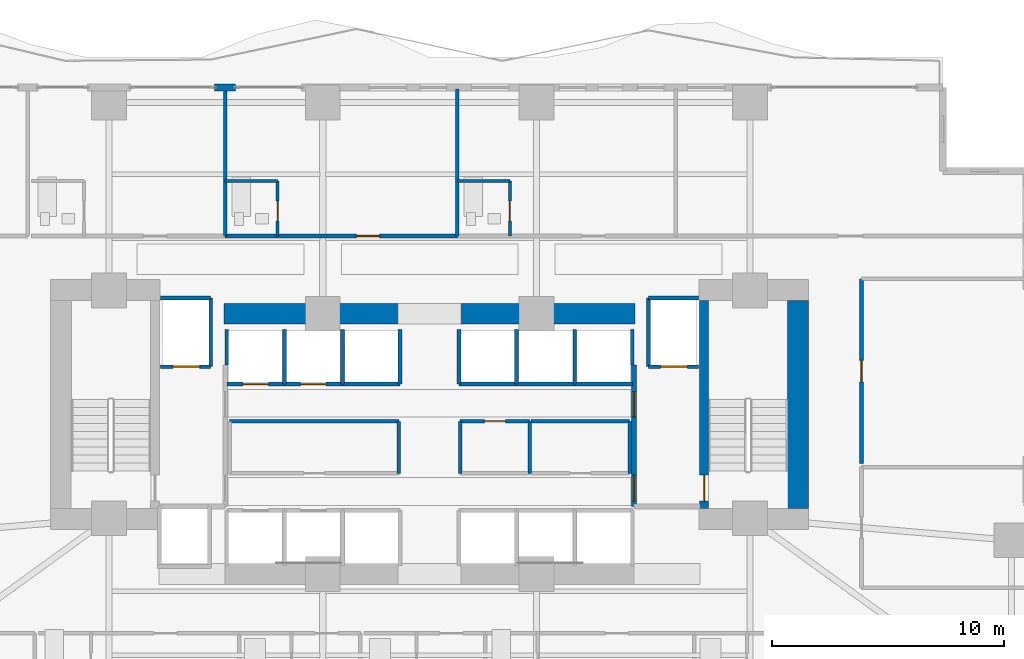
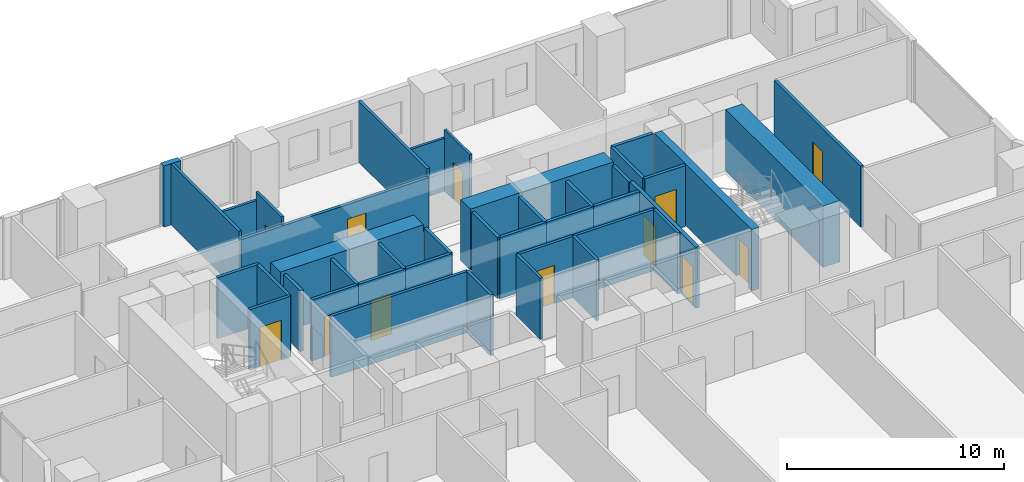
# One storey, part 21 of 29: 41 walls, 12 doors, 12 openings.
"""IFC4 building model written with IfcOpenShell, lengths in metres."""

from ifc_helpers import new_model, si_unit, direction, frame, frame_2d, origin, place, context, subcontext, project, spatial, rectangle, extrude, material, layer, layer_set, type_object, element, fill, save


model = new_model("IFC4")

# Units and contexts
model_context = context("Model", 3, precision=1e-05, world=origin(), true_north=direction((0.0, 1.0)))
body_context = subcontext(model_context, "Body", "Model", "MODEL_VIEW")
ifc_project = project(units=[si_unit("LENGTHUNIT", "METRE"), si_unit("AREAUNIT", "SQUARE_METRE"), si_unit("VOLUMEUNIT", "CUBIC_METRE"), si_unit("PLANEANGLEUNIT", "RADIAN"), si_unit("MASSUNIT", "GRAM", prefix="KILO")], contexts=[model_context])

# Site, building, storey
site_placement = place(None, origin())
site = spatial("IfcSite", under=ifc_project, at=site_placement, CompositionType="ELEMENT")
building_placement = place(site_placement, origin())
building = spatial("IfcBuilding", under=site, at=building_placement, Name="Zuhayl Quay Hotel", CompositionType="ELEMENT")
storey_placement = place(building_placement, frame((0.0, 0.0, 45.85009765625)))
storey = spatial("IfcBuildingStorey", under=building, at=storey_placement, Name="L10", CompositionType="ELEMENT", Elevation=45.85009765625)

# Walls
ifc_material_1 = material(Name="Concrete C70/85", Category="concrete")
ifc_layer_1 = layer(ifc_material_1, 0.89990234375, Name="Concrete C70/85", Category="concrete")
ifc_layer_set_1 = layer_set([ifc_layer_1], Name="Concrete C70/85")
wall_type_1 = type_object("IfcWallType", Name="WL_CORE_900", PredefinedType="SHEAR", material=ifc_layer_set_1)
wall_1_placement = place(storey_placement, frame((15.860107421875, 4.969970703125, 0.0), z_axis=(0.0, 0.0, 1.0), x_axis=(0.0, 1.0, 0.0)))
element("IfcWall", 1, at=wall_1_placement, inside=storey, type_object=wall_type_1, Name="L10 Core Shear Wall CW_E", PredefinedType="SHEAR", context=body_context, shape_type="SweptSolid", body=[
    extrude(rectangle(XDim=8.9599609375, YDim=0.89990234375, at=frame_2d((4.47998046875, 0.0))), origin(), (0.0, 0.0, 1.0), 3.4599609375),
])
for number, where, z_axis, x_axis, name in (
    (2, (-8.85009765625, 13.35009765625, 0.0), (0.0, 0.0, 1.0), (1.0, 0.0, 0.0), "L10 Core Shear Wall CW_NC_W"),
    (3, (1.25, 13.35009765625, 0.0), (0.0, 0.0, 1.0), (1.0, 0.0, 0.0), "L10 Core Shear Wall CW_NC_E"),
):
    element("IfcWall", number, at=place(storey_placement, frame(where, z_axis=z_axis, x_axis=x_axis)), inside=storey, type_object=wall_type_1, Name=name, PredefinedType="SHEAR", context=body_context, shape_type="SweptSolid", body=[
        extrude(rectangle(XDim=7.60009765625, YDim=0.89990234375, at=frame_2d((3.800048828125, 0.0))), origin(), (0.0, 0.0, 1.0), 3.429931640625),
    ])
ifc_material_2 = material(Name="Precast concrete C45/55", Category="concrete")
ifc_layer_2 = layer(ifc_material_2, 0.300048828125, Name="Precast concrete C45/55", Category="concrete")
ifc_layer_set_2 = layer_set([ifc_layer_2], Name="Precast concrete C45/55")
wall_type_2 = type_object("IfcWallType", Name="WL_EXT_300", PredefinedType="STANDARD", material=ifc_layer_set_2)
wall_2_placement = place(storey_placement, frame((-9.25, 23.10009765625, 0.0), z_axis=(0.0, 0.0, 1.0), x_axis=(1.0, 0.0, 0.0)))
element("IfcWall", 4, at=wall_2_placement, inside=storey, type_object=wall_type_2, Name="L10 Exterior Precast Wall ENV_L10_N_EW4", PredefinedType="STANDARD", context=body_context, shape_type="SweptSolid", body=[
    extrude(rectangle(XDim=0.89990234375, YDim=0.300048828125, at=frame_2d((0.449951171875, 0.0))), origin(), (0.0, 0.0, 1.0), 3.429931640625),
])

# Wall, opening, door
ifc_material_3 = material(Name="Acoustic Gypsum Partition STC-58")
ifc_layer_3 = layer(ifc_material_3, 0.14990234375, Name="Acoustic Gypsum Partition STC-58")
ifc_layer_set_3 = layer_set([ifc_layer_3], Name="Acoustic Gypsum Partition STC-58")
wall_type_3 = type_object("IfcWallType", Name="WL_PART_150", PredefinedType="PARTITIONING", material=ifc_layer_set_3)
wall_3_placement = place(storey_placement, frame((1.320068359375, 8.719970703125, 0.0), z_axis=(0.0, 0.0, 1.0), x_axis=(1.0, 0.0, 0.0)))
wall_3 = element("IfcWall", 5, at=wall_3_placement, inside=storey, type_object=wall_type_3, Name="L10 Partition IW_L10_CORE_IT_N", PredefinedType="PARTITIONING", context=body_context, shape_type="SweptSolid", body=[
    extrude(rectangle(XDim=2.989990234375, YDim=0.14990234375, at=frame_2d((1.4951171875, 0.0))), origin(), (0.0, 0.0, 1.0), 3.429931640625),
])
opening_1_placement = place(wall_3_placement, frame((1.044921875, 0.0, 0.0)))
opening_1 = element("IfcOpeningElement", 6, at=opening_1_placement, cuts=wall_3, Name="Opening D06", PredefinedType="OPENING", context=body_context, shape_type="SweptSolid", body=[
    extrude(rectangle(XDim=0.89990234375, YDim=2.14990234375, at=frame_2d((0.449951171875, 1.074951171875))), frame((0.0, 0.0849609375, 0.0), z_axis=(0.0, -1.0, 0.0), x_axis=(1.0, 0.0, 0.0)), (0.0, 0.0, 1.0), 0.169921875),
])
ifc_material_4 = material(Name="Steel ASTM A992 Grade 50", Category="steel")
door_type_1 = type_object("IfcDoorType", Name="DR_INT_900", OperationType="NOTDEFINED", PredefinedType="DOOR", material=ifc_material_4)
door_1_placement = place(opening_1_placement, origin())
door_1 = element("IfcDoor", 7, at=door_1_placement, inside=storey, type_object=door_type_1, Name="L10 Telecom Closet Door", OperationType="SINGLE_SWING_RIGHT", OverallHeight=2.14990234375, OverallWidth=0.89990234375, PredefinedType="DOOR", context=body_context, shape_type="SweptSolid", body=[
    extrude(rectangle(XDim=0.89990234375, YDim=2.14990234375, at=frame_2d((0.449951171875, 1.074951171875))), frame((0.0, 0.02490234375, 0.0), z_axis=(0.0, -1.0, 0.0), x_axis=(1.0, 0.0, 0.0)), (0.0, 0.0, 1.0), 0.050048828125),
])
fill(opening_1, door_1)

# Walls
wall_4_placement = place(storey_placement, frame((-8.610107421875, 8.719970703125, 0.0), z_axis=(0.0, 0.0, 1.0), x_axis=(1.0, 0.0, 0.0)))
element("IfcWall", 8, at=wall_4_placement, inside=storey, type_object=wall_type_3, Name="L10 Partition IW_L10_CORE_EL_N", PredefinedType="PARTITIONING", context=body_context, shape_type="SweptSolid", body=[
    extrude(rectangle(XDim=7.2900390625, YDim=0.14990234375, at=frame_2d((3.64501953125, 0.0))), origin(), (0.0, 0.0, 1.0), 3.429931640625),
])
for number, where, z_axis, x_axis, name in (
    (9, (-1.320068359375, 6.47998046875, 0.0), (0.0, 0.0, 1.0), (0.0, 1.0, 0.0), "L10 Partition IW_L10_CORE_EL_E"),
    (10, (1.320068359375, 6.47998046875, 0.0), (0.0, 0.0, 1.0), (0.0, 1.0, 0.0), "L10 Partition IW_L10_CORE_IT_W"),
    (11, (4.31005859375, 6.47998046875, 0.0), (0.0, 0.0, 1.0), (0.0, 1.0, 0.0), "L10 Partition IW_L10_CORE_IT_E"),
):
    element("IfcWall", number, at=place(storey_placement, frame(where, z_axis=z_axis, x_axis=x_axis)), inside=storey, type_object=wall_type_3, Name=name, PredefinedType="PARTITIONING", context=body_context, shape_type="SweptSolid", body=[
        extrude(rectangle(XDim=2.239990234375, YDim=0.14990234375, at=frame_2d((1.1201171875, 0.0))), origin(), (0.0, 0.0, 1.0), 3.429931640625),
    ])
wall_5_placement = place(storey_placement, frame((4.3701171875, 8.719970703125, 0.0), z_axis=(0.0, 0.0, 1.0), x_axis=(1.0, 0.0, 0.0)))
element("IfcWall", 12, at=wall_5_placement, inside=storey, type_object=wall_type_3, Name="L10 Partition IW_L10_CORE_LN_N", PredefinedType="PARTITIONING", context=body_context, shape_type="SweptSolid", body=[
    extrude(rectangle(XDim=4.239990234375, YDim=0.14990234375, at=frame_2d((2.1201171875, 0.0))), origin(), (0.0, 0.0, 1.0), 3.429931640625),
])
wall_6_placement = place(storey_placement, frame((8.610107421875, 6.47998046875, 0.0), z_axis=(0.0, 0.0, 1.0), x_axis=(0.0, 1.0, 0.0)))
element("IfcWall", 13, at=wall_6_placement, inside=storey, type_object=wall_type_3, Name="L10 Partition IW_L10_CORE_LN_E", PredefinedType="PARTITIONING", context=body_context, shape_type="SweptSolid", body=[
    extrude(rectangle(XDim=2.239990234375, YDim=0.14990234375, at=frame_2d((1.1201171875, 0.0))), origin(), (0.0, 0.0, 1.0), 3.429931640625),
])
for number, where, z_axis, x_axis, name in (
    (14, (-8.800048828125, 16.699951171875, 0.0), (0.0, 0.0, 1.0), (0.0, 1.0, 0.0), "L10 Partition IW_L10_NU01B_E"),
    (15, (1.199951171875, 16.699951171875, 0.0), (0.0, 0.0, 1.0), (0.0, 1.0, 0.0), "L10 Partition IW_L10_NU02_E"),
):
    element("IfcWall", number, at=place(storey_placement, frame(where, z_axis=z_axis, x_axis=x_axis)), inside=storey, type_object=wall_type_3, Name=name, PredefinedType="PARTITIONING", context=body_context, shape_type="SweptSolid", body=[
        extrude(rectangle(XDim=6.320068359375, YDim=0.14990234375, at=frame_2d((3.16015625, 0.0))), origin(), (0.0, 0.0, 1.0), 3.429931640625),
    ])

# Wall, opening, door
ifc_layer_4 = layer(ifc_material_3, 0.159912109375, Name="Acoustic Gypsum Partition STC-58")
ifc_layer_set_4 = layer_set([ifc_layer_4], Name="Acoustic Gypsum Partition STC-58")
wall_type_4 = type_object("IfcWallType", Name="WL_PART_CORR_160", PredefinedType="PARTITIONING", material=ifc_layer_set_4)
wall_7_placement = place(storey_placement, frame((-8.800048828125, 16.699951171875, 0.0), z_axis=(0.0, 0.0, 1.0), x_axis=(1.0, 0.0, 0.0)))
wall_7 = element("IfcWall", 16, at=wall_7_placement, inside=storey, type_object=wall_type_4, Name="L10 Partition IW_L10_NU02_COR", PredefinedType="PARTITIONING", context=body_context, shape_type="SweptSolid", body=[
    extrude(rectangle(XDim=10.0, YDim=0.159912109375, at=frame_2d((5.0, 0.0))), origin(), (0.0, 0.0, 1.0), 2.972900390625),
])
opening_2_placement = place(wall_7_placement, frame((5.64990234375, 0.0, 0.0)))
opening_2 = element("IfcOpeningElement", 17, at=opening_2_placement, cuts=wall_7, Name="Opening D03L", PredefinedType="OPENING", context=body_context, shape_type="SweptSolid", body=[
    extrude(rectangle(XDim=1.0, YDim=2.14990234375, at=frame_2d((0.5, 1.074951171875))), frame((0.0, 0.08984375, 0.0), z_axis=(0.0, -1.0, 0.0), x_axis=(1.0, 0.0, 0.0)), (0.0, 0.0, 1.0), 0.179931640625),
])
ifc_material_5 = material(Name="Solid Walnut Acoustic Fire Door")
door_type_2 = type_object("IfcDoorType", Name="DR_SUITE_1000", OperationType="NOTDEFINED", PredefinedType="DOOR", material=ifc_material_5)
door_2_placement = place(opening_2_placement, origin())
door_2 = element("IfcDoor", 18, at=door_2_placement, inside=storey, type_object=door_type_2, Name="L10 Deluxe Gulf Guest Room L10-02 Entrance Door", OperationType="SINGLE_SWING_LEFT", OverallHeight=2.14990234375, OverallWidth=1.0, PredefinedType="DOOR", context=body_context, shape_type="SweptSolid", body=[
    extrude(rectangle(XDim=1.0, YDim=2.14990234375, at=frame_2d((0.5, 1.074951171875))), frame((0.0, 0.02490234375, 0.0), z_axis=(0.0, -1.0, 0.0), x_axis=(1.0, 0.0, 0.0)), (0.0, 0.0, 1.0), 0.050048828125),
])
fill(opening_2, door_2)

wall_8_placement = place(storey_placement, frame((18.60009765625, 6.909912109375, 0.0), z_axis=(0.0, 0.0, 1.0), x_axis=(0.0, 1.0, 0.0)))
wall_8 = element("IfcWall", 19, at=wall_8_placement, inside=storey, type_object=wall_type_4, Name="L10 Partition IW_L10_EFLK_2_W", PredefinedType="PARTITIONING", context=body_context, shape_type="SweptSolid", body=[
    extrude(rectangle(XDim=7.940185546875, YDim=0.159912109375, at=frame_2d((3.97021484375, 0.0))), origin(), (0.0, 0.0, 1.0), 3.429931640625),
])
opening_3_placement = place(wall_8_placement, frame((3.510009765625, 0.0, 0.0)))
opening_3 = element("IfcOpeningElement", 20, at=opening_3_placement, cuts=wall_8, Name="Opening D05", PredefinedType="OPENING", context=body_context, shape_type="SweptSolid", body=[
    extrude(rectangle(XDim=0.919921875, YDim=2.1201171875, at=frame_2d((0.4599609375, 1.06005859375))), frame((0.0, 0.08984375, 0.0), z_axis=(0.0, -1.0, 0.0), x_axis=(1.0, 0.0, 0.0)), (0.0, 0.0, 1.0), 0.179931640625),
])
door_type_3 = type_object("IfcDoorType", Name="DR_INT_950", OperationType="NOTDEFINED", PredefinedType="DOOR", material=ifc_material_5)
door_3_placement = place(opening_3_placement, origin())
door_3 = element("IfcDoor", 21, at=door_3_placement, inside=storey, type_object=door_type_3, Name="L10 East Prow Reading Lounge L10 Door", OperationType="SINGLE_SWING_RIGHT", OverallHeight=2.1201171875, OverallWidth=0.919921875, PredefinedType="DOOR", context=body_context, shape_type="SweptSolid", body=[
    extrude(rectangle(XDim=0.919921875, YDim=2.1201171875, at=frame_2d((0.4599609375, 1.06005859375))), frame((0.0, 0.02490234375, 0.0), z_axis=(0.0, -1.0, 0.0), x_axis=(1.0, 0.0, 0.0)), (0.0, 0.0, 1.0), 0.050048828125),
])
fill(opening_3, door_3)

ifc_material_6 = material(Name="Moisture-Resistant Sanitarychase Gypsum")
ifc_layer_5 = layer(ifc_material_6, 0.135009765625, Name="Moisture-Resistant Sanitarychase Gypsum")
ifc_layer_set_5 = layer_set([ifc_layer_5], Name="Moisture-Resistant Sanitarychase Gypsum")
wall_type_5 = type_object("IfcWallType", Name="WL_PART_PLUMB_150", PredefinedType="PLUMBINGWALL", material=ifc_layer_set_5)
wall_9_placement = place(storey_placement, frame((-6.5400390625, 16.699951171875, 0.0), z_axis=(0.0, 0.0, 1.0), x_axis=(0.0, 1.0, 0.0)))
wall_9 = element("IfcWall", 22, at=wall_9_placement, inside=storey, type_object=wall_type_5, Name="L10 Partition IW_L10_NU02_BE", PredefinedType="PLUMBINGWALL", context=body_context, shape_type="SweptSolid", body=[
    extrude(rectangle(XDim=2.360107421875, YDim=0.135009765625, at=frame_2d((1.18017578125, 0.0))), origin(), (0.0, 0.0, 1.0), 3.429931640625),
])
opening_4_placement = place(wall_9_placement, frame((0.64990234375, 0.0, 0.0)))
opening_4 = element("IfcOpeningElement", 23, at=opening_4_placement, cuts=wall_9, Name="Opening D04", PredefinedType="OPENING", context=body_context, shape_type="SweptSolid", body=[
    extrude(rectangle(XDim=0.85009765625, YDim=2.10009765625, at=frame_2d((0.425048828125, 1.050048828125))), frame((0.0, 0.077392578125, 0.0), z_axis=(0.0, -1.0, 0.0), x_axis=(1.0, 0.0, 0.0)), (0.0, 0.0, 1.0), 0.155029296875),
])
ifc_material_7 = material(Name="Moisture-Resistant Walnut Veneer")
door_type_4 = type_object("IfcDoorType", Name="DR_BATH_850", OperationType="NOTDEFINED", PredefinedType="DOOR", material=ifc_material_7)
door_4_placement = place(opening_4_placement, origin())
door_4 = element("IfcDoor", 24, at=door_4_placement, inside=storey, type_object=door_type_4, Name="L10 Deluxe Gulf Guest Room L10-02 En-Suite Door", OperationType="SINGLE_SWING_RIGHT", OverallHeight=2.10009765625, OverallWidth=0.85009765625, PredefinedType="DOOR", context=body_context, shape_type="SweptSolid", body=[
    extrude(rectangle(XDim=0.85009765625, YDim=2.10009765625, at=frame_2d((0.425048828125, 1.050048828125))), frame((0.0, 0.02490234375, 0.0), z_axis=(0.0, -1.0, 0.0), x_axis=(1.0, 0.0, 0.0)), (0.0, 0.0, 1.0), 0.050048828125),
])
fill(opening_4, door_4)

wall_10_placement = place(storey_placement, frame((3.4599609375, 16.699951171875, 0.0), z_axis=(0.0, 0.0, 1.0), x_axis=(0.0, 1.0, 0.0)))
wall_10 = element("IfcWall", 25, at=wall_10_placement, inside=storey, type_object=wall_type_5, Name="L10 Partition IW_L10_NU03_BE", PredefinedType="PLUMBINGWALL", context=body_context, shape_type="SweptSolid", body=[
    extrude(rectangle(XDim=2.360107421875, YDim=0.135009765625, at=frame_2d((1.18017578125, 0.0))), origin(), (0.0, 0.0, 1.0), 3.429931640625),
])
opening_5_placement = place(wall_10_placement, frame((0.64990234375, 0.0, 0.0)))
opening_5 = element("IfcOpeningElement", 26, at=opening_5_placement, cuts=wall_10, Name="Opening D04", PredefinedType="OPENING", context=body_context, shape_type="SweptSolid", body=[
    extrude(rectangle(XDim=0.85009765625, YDim=2.10009765625, at=frame_2d((0.425048828125, 1.050048828125))), frame((0.0, 0.077392578125, 0.0), z_axis=(0.0, -1.0, 0.0), x_axis=(1.0, 0.0, 0.0)), (0.0, 0.0, 1.0), 0.155029296875),
])
door_5_placement = place(opening_5_placement, origin())
door_5 = element("IfcDoor", 27, at=door_5_placement, inside=storey, type_object=door_type_4, Name="L10 Deluxe Gulf Guest Room L10-03 En-Suite Door", OperationType="SINGLE_SWING_RIGHT", OverallHeight=2.10009765625, OverallWidth=0.85009765625, PredefinedType="DOOR", context=body_context, shape_type="SweptSolid", body=[
    extrude(rectangle(XDim=0.85009765625, YDim=2.10009765625, at=frame_2d((0.425048828125, 1.050048828125))), frame((0.0, 0.02490234375, 0.0), z_axis=(0.0, -1.0, 0.0), x_axis=(1.0, 0.0, 0.0)), (0.0, 0.0, 1.0), 0.050048828125),
])
fill(opening_5, door_5)

# Walls
for number, where, z_axis, x_axis, name in (
    (28, (-8.800048828125, 19.06005859375, 0.0), (0.0, 0.0, 1.0), (1.0, 0.0, 0.0), "L10 Partition IW_L10_NU02_BN"),
    (29, (1.199951171875, 19.06005859375, 0.0), (0.0, 0.0, 1.0), (1.0, 0.0, 0.0), "L10 Partition IW_L10_NU03_BN"),
):
    element("IfcWall", number, at=place(storey_placement, frame(where, z_axis=z_axis, x_axis=x_axis)), inside=storey, type_object=wall_type_5, Name=name, PredefinedType="PLUMBINGWALL", context=body_context, shape_type="SweptSolid", body=[
        extrude(rectangle(XDim=2.260009765625, YDim=0.135009765625, at=frame_2d((1.1298828125, 0.0))), origin(), (0.0, 0.0, 1.0), 2.972900390625),
    ])

# Wall, opening, door
ifc_material_8 = material(Name="Gypsum Fireboard Assembly EI-90")
ifc_layer_6 = layer(ifc_material_8, 0.1650390625, Name="Gypsum Fireboard Assembly EI-90")
ifc_layer_set_6 = layer_set([ifc_layer_6], Name="Gypsum Fireboard Assembly EI-90")
wall_type_6 = type_object("IfcWallType", Name="WL_PART_SHAFT_160", PredefinedType="PARTITIONING", material=ifc_layer_set_6)
wall_11_placement = place(storey_placement, frame((-11.580078125, 11.070068359375, 0.0), z_axis=(0.0, 0.0, 1.0), x_axis=(1.0, 0.0, 0.0)))
wall_11 = element("IfcWall", 30, at=wall_11_placement, inside=storey, type_object=wall_type_6, Name="L10 Partition IW_L10_SH_FL1_F", PredefinedType="PARTITIONING", context=body_context, shape_type="SweptSolid", body=[
    extrude(rectangle(XDim=2.16015625, YDim=0.1650390625, at=frame_2d((1.080078125, 0.0))), origin(), (0.0, 0.0, 1.0), 3.429931640625),
])
opening_6_placement = place(wall_11_placement, frame((0.530029296875, 0.0, 0.0)))
opening_6 = element("IfcOpeningElement", 31, at=opening_6_placement, cuts=wall_11, Name="Opening LD2", PredefinedType="OPENING", context=body_context, shape_type="SweptSolid", body=[
    extrude(rectangle(XDim=1.14990234375, YDim=2.25, at=frame_2d((0.574951171875, 1.125))), frame((0.0, 0.092529296875, 0.0), z_axis=(0.0, -1.0, 0.0), x_axis=(1.0, 0.0, 0.0)), (0.0, 0.0, 1.0), 0.18505859375),
])
ifc_material_9 = material(Name="Brushed Stainless Steel", Category="steel")
door_type_5 = type_object("IfcDoorType", Name="DR_LIFT_FF_1100", OperationType="SLIDING_TO_LEFT", PredefinedType="DOOR", material=ifc_material_9)
door_6_placement = place(opening_6_placement, origin())
door_6 = element("IfcDoor", 32, at=door_6_placement, inside=storey, type_object=door_type_5, Name="L10 Lift FL1 Sliding Landing Door", OperationType="SLIDING_TO_LEFT", OverallHeight=2.25, OverallWidth=1.14990234375, PredefinedType="DOOR", context=body_context, shape_type="SweptSolid", body=[
    extrude(rectangle(XDim=1.14990234375, YDim=2.25, at=frame_2d((0.574951171875, 1.125))), frame((0.0, 0.02490234375, 0.0), z_axis=(0.0, -1.0, 0.0), x_axis=(1.0, 0.0, 0.0)), (0.0, 0.0, 1.0), 0.050048828125),
])
fill(opening_6, door_6)

wall_12_placement = place(storey_placement, frame((9.419921875, 11.070068359375, 0.0), z_axis=(0.0, 0.0, 1.0), x_axis=(1.0, 0.0, 0.0)))
wall_12 = element("IfcWall", 33, at=wall_12_placement, inside=storey, type_object=wall_type_6, Name="L10 Partition IW_L10_SH_FL2_F", PredefinedType="PARTITIONING", context=body_context, shape_type="SweptSolid", body=[
    extrude(rectangle(XDim=2.16015625, YDim=0.1650390625, at=frame_2d((1.080078125, 0.0))), origin(), (0.0, 0.0, 1.0), 3.429931640625),
])
opening_7_placement = place(wall_12_placement, frame((0.530029296875, 0.0, 0.0)))
opening_7 = element("IfcOpeningElement", 34, at=opening_7_placement, cuts=wall_12, Name="Opening LD2", PredefinedType="OPENING", context=body_context, shape_type="SweptSolid", body=[
    extrude(rectangle(XDim=1.14990234375, YDim=2.25, at=frame_2d((0.574951171875, 1.125))), frame((0.0, 0.092529296875, 0.0), z_axis=(0.0, -1.0, 0.0), x_axis=(1.0, 0.0, 0.0)), (0.0, 0.0, 1.0), 0.18505859375),
])
door_7_placement = place(opening_7_placement, origin())
door_7 = element("IfcDoor", 35, at=door_7_placement, inside=storey, type_object=door_type_5, Name="L10 Lift FL2 Sliding Landing Door", OperationType="SLIDING_TO_LEFT", OverallHeight=2.25, OverallWidth=1.14990234375, PredefinedType="DOOR", context=body_context, shape_type="SweptSolid", body=[
    extrude(rectangle(XDim=1.14990234375, YDim=2.25, at=frame_2d((0.574951171875, 1.125))), frame((0.0, 0.02490234375, 0.0), z_axis=(0.0, -1.0, 0.0), x_axis=(1.0, 0.0, 0.0)), (0.0, 0.0, 1.0), 0.050048828125),
])
fill(opening_7, door_7)

wall_13_placement = place(storey_placement, frame((-8.72998046875, 10.320068359375, 0.0), z_axis=(0.0, 0.0, 1.0), x_axis=(1.0, 0.0, 0.0)))
wall_13 = element("IfcWall", 36, at=wall_13_placement, inside=storey, type_object=wall_type_6, Name="L10 Partition IW_L10_SH_LP3_F", PredefinedType="PARTITIONING", context=body_context, shape_type="SweptSolid", body=[
    extrude(rectangle(XDim=2.47998046875, YDim=0.1650390625, at=frame_2d((1.239990234375, 0.0))), origin(), (0.0, 0.0, 1.0), 3.429931640625),
])
opening_8_placement = place(wall_13_placement, frame((0.68994140625, 0.0, 0.0)))
opening_8 = element("IfcOpeningElement", 37, at=opening_8_placement, cuts=wall_13, Name="Opening LD1", PredefinedType="OPENING", context=body_context, shape_type="SweptSolid", body=[
    extrude(rectangle(XDim=1.10009765625, YDim=2.25, at=frame_2d((0.550048828125, 1.125))), frame((0.0, 0.092529296875, 0.0), z_axis=(0.0, -1.0, 0.0), x_axis=(1.0, 0.0, 0.0)), (0.0, 0.0, 1.0), 0.18505859375),
])
door_type_6 = type_object("IfcDoorType", Name="DR_LIFT_PASS_1100", OperationType="SLIDING_TO_LEFT", PredefinedType="DOOR", material=ifc_material_9)
door_8_placement = place(opening_8_placement, origin())
door_8 = element("IfcDoor", 38, at=door_8_placement, inside=storey, type_object=door_type_6, Name="L10 Lift LP3 Sliding Landing Door", OperationType="SLIDING_TO_LEFT", OverallHeight=2.25, OverallWidth=1.10009765625, PredefinedType="DOOR", context=body_context, shape_type="SweptSolid", body=[
    extrude(rectangle(XDim=1.10009765625, YDim=2.25, at=frame_2d((0.550048828125, 1.125))), frame((0.0, 0.02490234375, 0.0), z_axis=(0.0, -1.0, 0.0), x_axis=(1.0, 0.0, 0.0)), (0.0, 0.0, 1.0), 0.050048828125),
])
fill(opening_8, door_8)

wall_14_placement = place(storey_placement, frame((-6.25, 10.320068359375, 0.0), z_axis=(0.0, 0.0, 1.0), x_axis=(1.0, 0.0, 0.0)))
wall_14 = element("IfcWall", 39, at=wall_14_placement, inside=storey, type_object=wall_type_6, Name="L10 Partition IW_L10_SH_LP4_F", PredefinedType="PARTITIONING", context=body_context, shape_type="SweptSolid", body=[
    extrude(rectangle(XDim=2.5, YDim=0.1650390625, at=frame_2d((1.25, 0.0))), origin(), (0.0, 0.0, 1.0), 3.429931640625),
])
opening_9_placement = place(wall_14_placement, frame((0.699951171875, 0.0, 0.0)))
opening_9 = element("IfcOpeningElement", 40, at=opening_9_placement, cuts=wall_14, Name="Opening LD1", PredefinedType="OPENING", context=body_context, shape_type="SweptSolid", body=[
    extrude(rectangle(XDim=1.10009765625, YDim=2.25, at=frame_2d((0.550048828125, 1.125))), frame((0.0, 0.092529296875, 0.0), z_axis=(0.0, -1.0, 0.0), x_axis=(1.0, 0.0, 0.0)), (0.0, 0.0, 1.0), 0.18505859375),
])
door_9_placement = place(opening_9_placement, origin())
door_9 = element("IfcDoor", 41, at=door_9_placement, inside=storey, type_object=door_type_6, Name="L10 Lift LP4 Sliding Landing Door", OperationType="SLIDING_TO_LEFT", OverallHeight=2.25, OverallWidth=1.10009765625, PredefinedType="DOOR", context=body_context, shape_type="SweptSolid", body=[
    extrude(rectangle(XDim=1.10009765625, YDim=2.25, at=frame_2d((0.550048828125, 1.125))), frame((0.0, 0.02490234375, 0.0), z_axis=(0.0, -1.0, 0.0), x_axis=(1.0, 0.0, 0.0)), (0.0, 0.0, 1.0), 0.050048828125),
])
fill(opening_9, door_9)

# Walls
wall_15_placement = place(storey_placement, frame((-9.419921875, 11.070068359375, 0.0), z_axis=(0.0, 0.0, 1.0), x_axis=(0.0, 1.0, 0.0)))
element("IfcWall", 42, at=wall_15_placement, inside=storey, type_object=wall_type_6, Name="L10 Partition IW_L10_SH_FL1_E", PredefinedType="PARTITIONING", context=body_context, shape_type="SweptSolid", body=[
    extrude(rectangle(XDim=2.9599609375, YDim=0.1650390625, at=frame_2d((1.47998046875, 0.0))), origin(), (0.0, 0.0, 1.0), 3.429931640625),
])
wall_16_placement = place(storey_placement, frame((-11.580078125, 14.030029296875, 0.0), z_axis=(0.0, 0.0, 1.0), x_axis=(1.0, 0.0, 0.0)))
element("IfcWall", 43, at=wall_16_placement, inside=storey, type_object=wall_type_6, Name="L10 Partition IW_L10_SH_FL1_B", PredefinedType="PARTITIONING", context=body_context, shape_type="SweptSolid", body=[
    extrude(rectangle(XDim=2.16015625, YDim=0.1650390625, at=frame_2d((1.080078125, 0.0))), origin(), (0.0, 0.0, 1.0), 3.429931640625),
])
wall_17_placement = place(storey_placement, frame((9.419921875, 11.070068359375, 0.0), z_axis=(0.0, 0.0, 1.0), x_axis=(0.0, 1.0, 0.0)))
element("IfcWall", 44, at=wall_17_placement, inside=storey, type_object=wall_type_6, Name="L10 Partition IW_L10_SH_FL2_W", PredefinedType="PARTITIONING", context=body_context, shape_type="SweptSolid", body=[
    extrude(rectangle(XDim=2.9599609375, YDim=0.1650390625, at=frame_2d((1.47998046875, 0.0))), origin(), (0.0, 0.0, 1.0), 3.429931640625),
])
wall_18_placement = place(storey_placement, frame((9.419921875, 14.030029296875, 0.0), z_axis=(0.0, 0.0, 1.0), x_axis=(1.0, 0.0, 0.0)))
element("IfcWall", 45, at=wall_18_placement, inside=storey, type_object=wall_type_6, Name="L10 Partition IW_L10_SH_FL2_B", PredefinedType="PARTITIONING", context=body_context, shape_type="SweptSolid", body=[
    extrude(rectangle(XDim=2.16015625, YDim=0.1650390625, at=frame_2d((1.080078125, 0.0))), origin(), (0.0, 0.0, 1.0), 3.429931640625),
])
wall_19_placement = place(storey_placement, frame((-8.72998046875, 11.14990234375, 0.0), z_axis=(0.0, 0.0, 1.0), x_axis=(0.0, 1.0, 0.0)))
element("IfcWall", 46, at=wall_19_placement, inside=storey, type_object=wall_type_6, Name="L10 Partition IW_L10_SH_LP3_W", PredefinedType="PARTITIONING", context=body_context, shape_type="SweptSolid", body=[
    extrude(rectangle(XDim=1.530029296875, YDim=0.1650390625, at=frame_2d((0.76513671875, 0.0))), origin(), (0.0, 0.0, 1.0), 3.429931640625),
])
for number, where, z_axis, x_axis, name in (
    (47, (-6.25, 10.320068359375, 0.0), (0.0, 0.0, 1.0), (0.0, 1.0, 0.0), "L10 Partition IW_L10_SH_LP3_E"),
    (48, (-3.75, 10.320068359375, 0.0), (0.0, 0.0, 1.0), (0.0, 1.0, 0.0), "L10 Partition IW_L10_SH_LP4_E"),
):
    element("IfcWall", number, at=place(storey_placement, frame(where, z_axis=z_axis, x_axis=x_axis)), inside=storey, type_object=wall_type_6, Name=name, PredefinedType="PARTITIONING", context=body_context, shape_type="SweptSolid", body=[
        extrude(rectangle(XDim=2.35986328125, YDim=0.1650390625, at=frame_2d((1.179931640625, 0.0))), origin(), (0.0, 0.0, 1.0), 3.429931640625),
    ])
wall_20_placement = place(storey_placement, frame((-3.75, 10.320068359375, 0.0), z_axis=(0.0, 0.0, 1.0), x_axis=(1.0, 0.0, 0.0)))
element("IfcWall", 49, at=wall_20_placement, inside=storey, type_object=wall_type_6, Name="L10 Partition IW_L10_SH_MP3_F", PredefinedType="PARTITIONING", context=body_context, shape_type="SweptSolid", body=[
    extrude(rectangle(XDim=2.47998046875, YDim=0.1650390625, at=frame_2d((1.239990234375, 0.0))), origin(), (0.0, 0.0, 1.0), 3.429931640625),
])
wall_21_placement = place(storey_placement, frame((-1.27001953125, 10.320068359375, 0.0), z_axis=(0.0, 0.0, 1.0), x_axis=(0.0, 1.0, 0.0)))
element("IfcWall", 50, at=wall_21_placement, inside=storey, type_object=wall_type_6, Name="L10 Partition IW_L10_SH_MP3_E", PredefinedType="PARTITIONING", context=body_context, shape_type="SweptSolid", body=[
    extrude(rectangle(XDim=2.35986328125, YDim=0.1650390625, at=frame_2d((1.179931640625, 0.0))), origin(), (0.0, 0.0, 1.0), 3.429931640625),
])
wall_22_placement = place(storey_placement, frame((1.27001953125, 10.320068359375, 0.0), z_axis=(0.0, 0.0, 1.0), x_axis=(1.0, 0.0, 0.0)))
element("IfcWall", 51, at=wall_22_placement, inside=storey, type_object=wall_type_6, Name="L10 Partition IW_L10_SH_MP4_F", PredefinedType="PARTITIONING", context=body_context, shape_type="SweptSolid", body=[
    extrude(rectangle(XDim=2.47998046875, YDim=0.1650390625, at=frame_2d((1.239990234375, 0.0))), origin(), (0.0, 0.0, 1.0), 3.429931640625),
])
for number, where, z_axis, x_axis, name in (
    (52, (1.27001953125, 10.320068359375, 0.0), (0.0, 0.0, 1.0), (0.0, 1.0, 0.0), "L10 Partition IW_L10_SH_MP4_W"),
    (53, (3.75, 10.320068359375, 0.0), (0.0, 0.0, 1.0), (0.0, 1.0, 0.0), "L10 Partition IW_L10_SH_MP4_E"),
):
    element("IfcWall", number, at=place(storey_placement, frame(where, z_axis=z_axis, x_axis=x_axis)), inside=storey, type_object=wall_type_6, Name=name, PredefinedType="PARTITIONING", context=body_context, shape_type="SweptSolid", body=[
        extrude(rectangle(XDim=2.35986328125, YDim=0.1650390625, at=frame_2d((1.179931640625, 0.0))), origin(), (0.0, 0.0, 1.0), 3.429931640625),
    ])
wall_23_placement = place(storey_placement, frame((3.75, 10.320068359375, 0.0), z_axis=(0.0, 0.0, 1.0), x_axis=(1.0, 0.0, 0.0)))
element("IfcWall", 54, at=wall_23_placement, inside=storey, type_object=wall_type_6, Name="L10 Partition IW_L10_SH_HP3_F", PredefinedType="PARTITIONING", context=body_context, shape_type="SweptSolid", body=[
    extrude(rectangle(XDim=2.5, YDim=0.1650390625, at=frame_2d((1.25, 0.0))), origin(), (0.0, 0.0, 1.0), 3.429931640625),
])
wall_24_placement = place(storey_placement, frame((6.25, 10.320068359375, 0.0), z_axis=(0.0, 0.0, 1.0), x_axis=(0.0, 1.0, 0.0)))
element("IfcWall", 55, at=wall_24_placement, inside=storey, type_object=wall_type_6, Name="L10 Partition IW_L10_SH_HP3_E", PredefinedType="PARTITIONING", context=body_context, shape_type="SweptSolid", body=[
    extrude(rectangle(XDim=2.35986328125, YDim=0.1650390625, at=frame_2d((1.179931640625, 0.0))), origin(), (0.0, 0.0, 1.0), 3.429931640625),
])
wall_25_placement = place(storey_placement, frame((6.25, 10.320068359375, 0.0), z_axis=(0.0, 0.0, 1.0), x_axis=(1.0, 0.0, 0.0)))
element("IfcWall", 56, at=wall_25_placement, inside=storey, type_object=wall_type_6, Name="L10 Partition IW_L10_SH_HP4_F", PredefinedType="PARTITIONING", context=body_context, shape_type="SweptSolid", body=[
    extrude(rectangle(XDim=2.47998046875, YDim=0.1650390625, at=frame_2d((1.239990234375, 0.0))), origin(), (0.0, 0.0, 1.0), 3.429931640625),
])
wall_26_placement = place(storey_placement, frame((8.72998046875, 11.14990234375, 0.0), z_axis=(0.0, 0.0, 1.0), x_axis=(0.0, 1.0, 0.0)))
element("IfcWall", 57, at=wall_26_placement, inside=storey, type_object=wall_type_6, Name="L10 Partition IW_L10_SH_HP4_E", PredefinedType="PARTITIONING", context=body_context, shape_type="SweptSolid", body=[
    extrude(rectangle(XDim=1.530029296875, YDim=0.1650390625, at=frame_2d((0.76513671875, 0.0))), origin(), (0.0, 0.0, 1.0), 3.429931640625),
])

# Wall, openings, doors
ifc_material_10 = material(Name="Gypsum Fireboard Assembly EI-120")
ifc_layer_7 = layer(ifc_material_10, 0.199951171875, Name="Gypsum Fireboard Assembly EI-120")
ifc_layer_set_7 = layer_set([ifc_layer_7], Name="Gypsum Fireboard Assembly EI-120")
wall_type_7 = type_object("IfcWallType", Name="WL_PART_SHAFT_200", PredefinedType="PARTITIONING", material=ifc_layer_set_7)
wall_27_placement = place(storey_placement, frame((8.800048828125, 11.14990234375, 0.0), z_axis=(0.0, 0.0, 1.0), x_axis=(0.0, -1.0, 0.0)))
wall_27 = element("IfcWall", 58, at=wall_27_placement, inside=storey, type_object=wall_type_7, Name="L10 Partition IW_L10_FSAE_E_W", PredefinedType="PARTITIONING", context=body_context, shape_type="SweptSolid", body=[
    extrude(rectangle(XDim=6.099853515625, YDim=0.199951171875, at=frame_2d((3.0498046875, 0.0))), origin(), (0.0, 0.0, 1.0), 3.429931640625),
])
opening_10_placement = place(wall_27_placement, frame((1.14990234375, 0.0, 0.0)))
opening_10 = element("IfcOpeningElement", 59, at=opening_10_placement, cuts=wall_27, Name="Opening D02", PredefinedType="OPENING", context=body_context, shape_type="SweptSolid", body=[
    extrude(rectangle(XDim=1.10009765625, YDim=2.199951171875, at=frame_2d((0.550048828125, 1.10009765625))), frame((0.0, 0.10986328125, 0.0), z_axis=(0.0, -1.0, 0.0), x_axis=(1.0, 0.0, 0.0)), (0.0, 0.0, 1.0), 0.219970703125),
])
opening_11_placement = place(wall_27_placement, frame((4.75, 0.0, 0.0)))
opening_11 = element("IfcOpeningElement", 60, at=opening_11_placement, cuts=wall_27, Name="Opening D02", PredefinedType="OPENING", context=body_context, shape_type="SweptSolid", body=[
    extrude(rectangle(XDim=1.10009765625, YDim=2.199951171875, at=frame_2d((0.550048828125, 1.10009765625))), frame((0.0, 0.10986328125, 0.0), z_axis=(0.0, -1.0, 0.0), x_axis=(1.0, 0.0, 0.0)), (0.0, 0.0, 1.0), 0.219970703125),
])
door_type_7 = type_object("IfcDoorType", Name="DR_FIRE_90_1100", OperationType="NOTDEFINED", PredefinedType="DOOR", material=ifc_material_4)
door_10_placement = place(opening_10_placement, origin())
door_10 = element("IfcDoor", 61, at=door_10_placement, inside=storey, type_object=door_type_7, Name="L10 FSAE Lobby East North Entry Door", OperationType="SINGLE_SWING_LEFT", OverallHeight=2.199951171875, OverallWidth=1.10009765625, PredefinedType="DOOR", context=body_context, shape_type="SweptSolid", body=[
    extrude(rectangle(XDim=1.10009765625, YDim=2.199951171875, at=frame_2d((0.550048828125, 1.10009765625))), frame((0.0, 0.02490234375, 0.0), z_axis=(0.0, -1.0, 0.0), x_axis=(1.0, 0.0, 0.0)), (0.0, 0.0, 1.0), 0.050048828125),
])
fill(opening_10, door_10)
door_11_placement = place(opening_11_placement, origin())
door_11 = element("IfcDoor", 62, at=door_11_placement, inside=storey, type_object=door_type_7, Name="L10 FSAE Lobby East South Entry Door", OperationType="SINGLE_SWING_RIGHT", OverallHeight=2.199951171875, OverallWidth=1.10009765625, PredefinedType="DOOR", context=body_context, shape_type="SweptSolid", body=[
    extrude(rectangle(XDim=1.10009765625, YDim=2.199951171875, at=frame_2d((0.550048828125, 1.10009765625))), frame((0.0, 0.02490234375, 0.0), z_axis=(0.0, -1.0, 0.0), x_axis=(1.0, 0.0, 0.0)), (0.0, 0.0, 1.0), 0.050048828125),
])
fill(opening_11, door_11)

# Wall, opening, door
ifc_material_11 = material(Name="Concrete C60/75", Category="concrete")
ifc_layer_8 = layer(ifc_material_11, 0.39990234375, Name="Concrete C60/75", Category="concrete")
ifc_layer_set_8 = layer_set([ifc_layer_8], Name="Concrete C60/75")
wall_type_8 = type_object("IfcWallType", Name="WL_STAIR_400", PredefinedType="SHEAR", material=ifc_layer_set_8)
wall_28_placement = place(storey_placement, frame((11.820068359375, 13.929931640625, 0.0), z_axis=(0.0, 0.0, 1.0), x_axis=(0.0, -1.0, 0.0)))
wall_28 = element("IfcWall", 63, at=wall_28_placement, inside=storey, type_object=wall_type_8, Name="L10 Core Shear Wall SW_ST2", PredefinedType="SHEAR", context=body_context, shape_type="SweptSolid", body=[
    extrude(rectangle(XDim=8.9599609375, YDim=0.39990234375, at=frame_2d((4.47998046875, 0.0))), origin(), (0.0, 0.0, 1.0), 3.4599609375),
])
opening_12_placement = place(wall_28_placement, frame((7.530029296875, 0.0, 0.0)))
opening_12 = element("IfcOpeningElement", 64, at=opening_12_placement, cuts=wall_28, Name="Opening D01", PredefinedType="OPENING", context=body_context, shape_type="SweptSolid", body=[
    extrude(rectangle(XDim=1.1201171875, YDim=2.219970703125, at=frame_2d((0.56005859375, 1.10986328125))), frame((0.0, 0.2099609375, 0.0), z_axis=(0.0, -1.0, 0.0), x_axis=(1.0, 0.0, 0.0)), (0.0, 0.0, 1.0), 0.419921875),
])
door_type_8 = type_object("IfcDoorType", Name="DR_STAIR_90_1100", OperationType="NOTDEFINED", PredefinedType="DOOR", material=ifc_material_4)
door_12_placement = place(opening_12_placement, origin())
door_12 = element("IfcDoor", 65, at=door_12_placement, inside=storey, type_object=door_type_8, Name="L10 Smokeproof Exit Stair ST2 Door", OperationType="SINGLE_SWING_RIGHT", OverallHeight=2.219970703125, OverallWidth=1.1201171875, PredefinedType="DOOR", context=body_context, shape_type="SweptSolid", body=[
    extrude(rectangle(XDim=1.1201171875, YDim=2.219970703125, at=frame_2d((0.56005859375, 1.10986328125))), frame((0.0, 0.02490234375, 0.0), z_axis=(0.0, -1.0, 0.0), x_axis=(1.0, 0.0, 0.0)), (0.0, 0.0, 1.0), 0.050048828125),
])
fill(opening_12, door_12)

save(model, "model.ifc")
